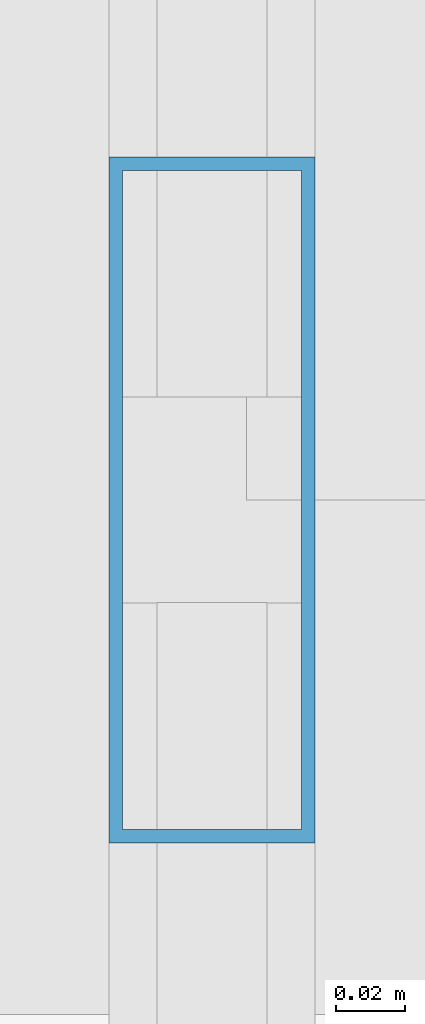
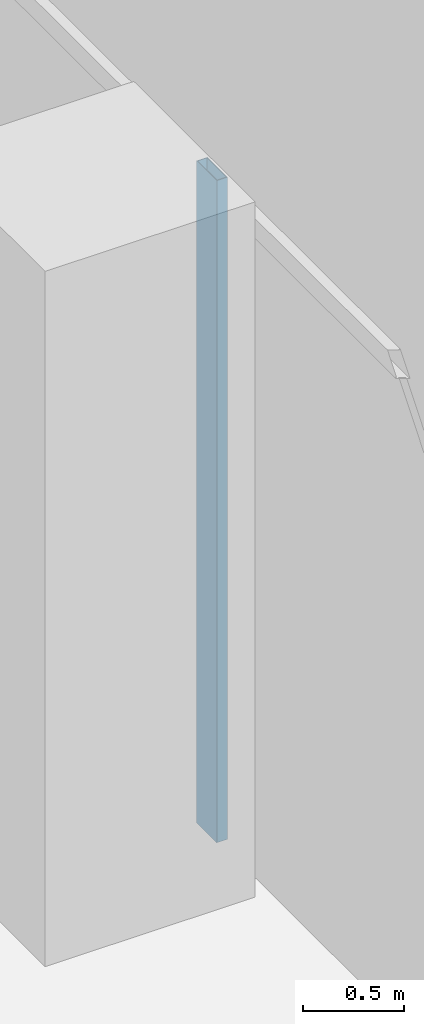
# One storey, part 10 of 46: 1 member, 1 element without a shape of its own.
"""IFC4 building model written with IfcOpenShell, lengths in metres."""

from ifc_helpers import new_model, si_unit, direction, frame, origin, origin_2d, place, context, subcontext, project, spatial, hollow_rectangle, extrude, source, transform, mapped, material, material_profile, profile_set, type_object, element, aggregate, save


model = new_model("IFC4")

# Units and contexts
model_context = context("Model", 3, precision=1e-05, world=origin(), true_north=direction((0.0, 1.0)))
body_context = subcontext(model_context, "Body", "Model", "MODEL_VIEW")
ifc_project = project(units=[si_unit("LENGTHUNIT", "METRE"), si_unit("AREAUNIT", "SQUARE_METRE"), si_unit("VOLUMEUNIT", "CUBIC_METRE"), si_unit("PLANEANGLEUNIT", "RADIAN"), si_unit("MASSUNIT", "GRAM", prefix="KILO")], contexts=[model_context])

# Site, building, storey
site_placement = place(None, origin())
site = spatial("IfcSite", under=ifc_project, at=site_placement, CompositionType="ELEMENT")
building_placement = place(site_placement, origin())
building = spatial("IfcBuilding", under=site, at=building_placement, Name="Khomas Fold Tower", CompositionType="ELEMENT")
storey_placement = place(building_placement, frame((0.0, 0.0, 33.0)))
storey = spatial("IfcBuildingStorey", under=building, at=storey_placement, Name="L06", CompositionType="ELEMENT", Elevation=33.0)

# Curtain wall, member
ifc_material_1 = material(Name="Aluminium framed double glazing", Category="aluminium")
curtain_wall_type = type_object("IfcCurtainWallType", Name="SK-Unitised clear-glass wall, growing floors CW1", PredefinedType="NOTDEFINED", material=ifc_material_1)
curtain_wall_placement = place(storey_placement, origin())
curtain_wall = element("IfcCurtainWall", 1, at=curtain_wall_placement, inside=storey, type_object=curtain_wall_type, Name="CW1 run L06 03-0", PredefinedType="NOTDEFINED")
ifc_material_2 = material(Name="Aluminium", Category="aluminium")
ifc_material_profile = material_profile(ifc_material_2, hollow_rectangle(XDim=0.06005859375, YDim=0.199951171875, WallThickness=0.00390625, at=origin_2d()), Name="SK-Unitised clear-glass wall, growing floors mullion CW1-M")
ifc_profile_set = profile_set([ifc_material_profile], Name="Aluminium")
member_type = type_object("IfcMemberType", Name="SK-Unitised clear-glass wall, growing floors mullion CW1-M", PredefinedType="MULLION", material=ifc_profile_set)
shared_shape = source(origin(), body_context, "Body", "SweptSolid", [
    extrude(hollow_rectangle(XDim=0.06005859375, YDim=0.199951171875, WallThickness=0.00390625, at=origin_2d()), origin(), (0.0, 0.0, 1.0), 4.0),
])
member_placement = place(storey_placement, frame((53.89990234375, 12.0, 0.0), z_axis=(0.0, 0.0, 1.0), x_axis=(-1.0, 0.0, 0.0)))
member = element("IfcMember", 2, at=member_placement, type_object=member_type, Name="CW1 mullion 3", PredefinedType="MULLION", context=body_context, shape_type="MappedRepresentation", body=[
    mapped(shared_shape, transform((0.0, 0.0, 0.0))),
])
aggregate(curtain_wall, [member])

save(model, "model.ifc")
